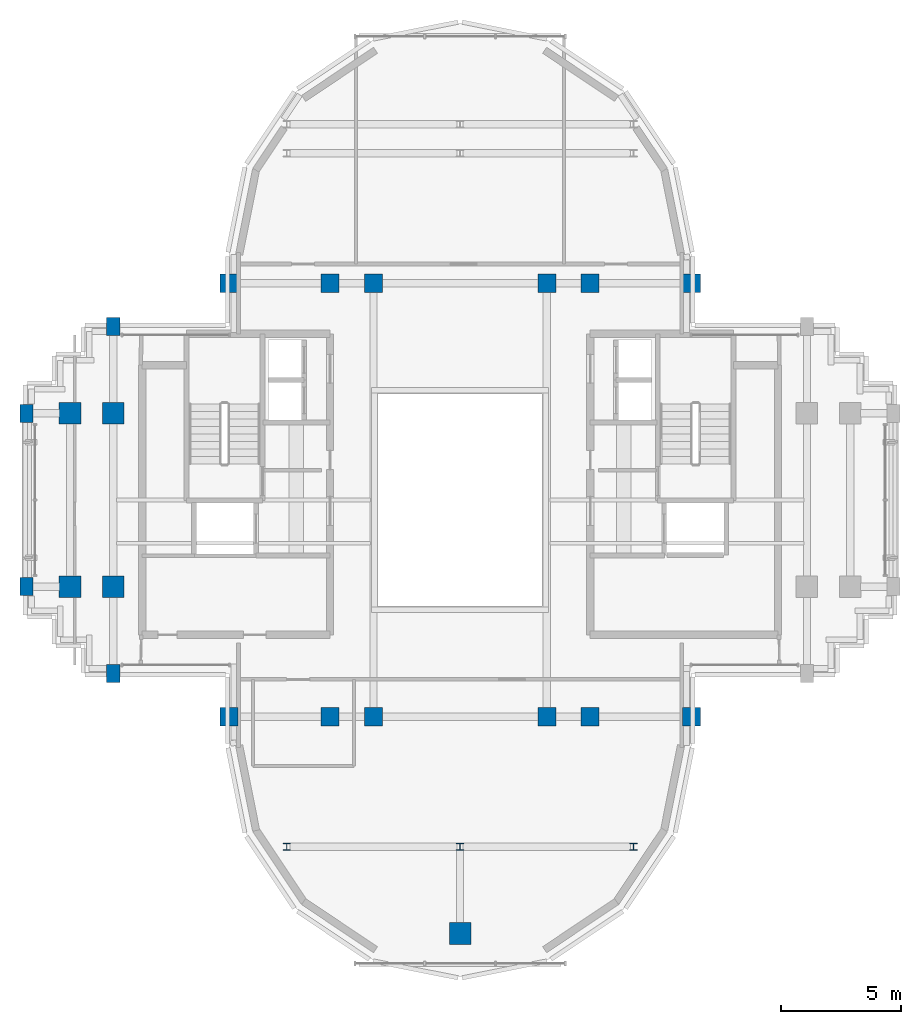
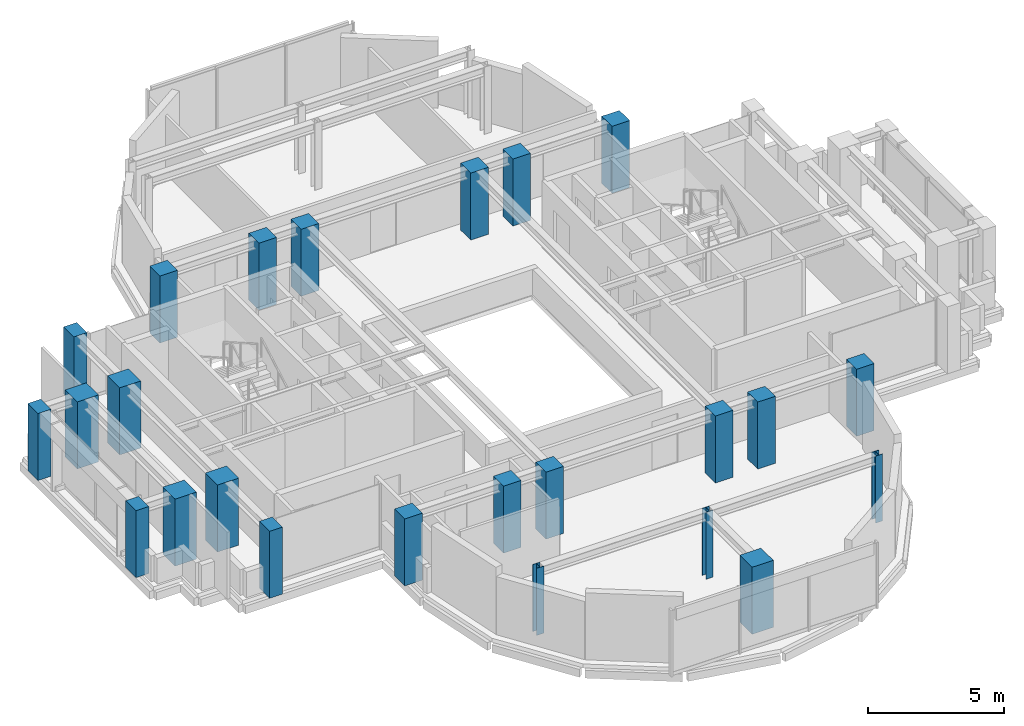
# One storey, part 1 of 12: 24 columns.
"""IFC4 building model written with IfcOpenShell, lengths in metres."""

from ifc_helpers import new_model, si_unit, direction, frame, origin, origin_2d, place, context, subcontext, project, spatial, rectangle, i_section, extrude, source, transform, mapped, material, material_profile, profile_set, type_object, element, save


model = new_model("IFC4")

# Units and contexts
model_context = context("Model", 3, precision=1e-05, world=origin(), true_north=direction((0.0, 1.0)))
body_context = subcontext(model_context, "Body", "Model", "MODEL_VIEW")
ifc_project = project(units=[si_unit("LENGTHUNIT", "METRE"), si_unit("AREAUNIT", "SQUARE_METRE"), si_unit("VOLUMEUNIT", "CUBIC_METRE"), si_unit("PLANEANGLEUNIT", "RADIAN"), si_unit("MASSUNIT", "GRAM", prefix="KILO")], contexts=[model_context])

# Site, building, storey
site_placement = place(None, origin())
site = spatial("IfcSite", under=ifc_project, at=site_placement, CompositionType="ELEMENT")
building_placement = place(site_placement, origin())
building = spatial("IfcBuilding", under=site, at=building_placement, Name="Keilestroom Media Tower", CompositionType="ELEMENT")
storey_placement = place(building_placement, frame((0.0, 0.0, 246.0)))
storey = spatial("IfcBuildingStorey", under=building, at=storey_placement, Name="L68", CompositionType="ELEMENT", Elevation=246.0)

# Columns
ifc_material_1 = material(Name="Precast concrete C40/50", Category="concrete")
ifc_material_profile_1 = material_profile(ifc_material_1, rectangle(XDim=0.550048828125, YDim=0.75, at=origin_2d()), Name="PC 750x550")
ifc_profile_set_1 = profile_set([ifc_material_profile_1], Name="Precast concrete C40/50")
column_type_1 = type_object("IfcColumnType", Name="Structural-Column-PC-750x550", PredefinedType="COLUMN", material=ifc_profile_set_1)
shared_shape_1 = source(origin(), body_context, "Body", "SweptSolid", [
    extrude(rectangle(XDim=0.550048828125, YDim=0.75, at=origin_2d()), origin(), (0.0, 0.0, 1.0), 3.010009765625),
])
for number, where, z_axis, x_axis, name in (
    (1, (-18.0, -3.60009765625, 0.0), (0.0, 0.0, 1.0), (1.0, 0.0, 0.0), "L68 Column PC-3 (-18.0,-3.6)"),
    (2, (-18.0, 3.60009765625, 0.0), (0.0, 0.0, 1.0), (1.0, 0.0, 0.0), "L68 Column PC-3 (-18.0,+3.6)"),
    (3, (-14.39990234375, -7.199951171875, 0.0), (0.0, 0.0, 1.0), (1.0, 0.0, 0.0), "L68 Column PC-3 (-14.4,-7.2)"),
    (4, (-14.39990234375, 7.199951171875, 0.0), (0.0, 0.0, 1.0), (1.0, 0.0, 0.0), "L68 Column PC-3 (-14.4,+7.2)"),
):
    element("IfcColumn", number, at=place(storey_placement, frame(where, z_axis=z_axis, x_axis=x_axis)), inside=storey, type_object=column_type_1, Name=name, PredefinedType="COLUMN", context=body_context, shape_type="MappedRepresentation", body=[
        mapped(shared_shape_1, transform((0.0, 0.0, 0.0), x_axis=(1.0, 0.0, 0.0), y_axis=(0.0, 1.0, 0.0), z_axis=(0.0, 0.0, 1.0), scale=1.0)),
    ])
ifc_material_2 = material(Name="Concrete C55/67", Category="concrete")
ifc_material_profile_2 = material_profile(ifc_material_2, rectangle(XDim=0.89990234375, YDim=0.89990234375, at=origin_2d()), Name="RC 900x900")
ifc_profile_set_2 = profile_set([ifc_material_profile_2], Name="Concrete C55/67")
column_type_2 = type_object("IfcColumnType", Name="Structural-Column-RC-900x900", PredefinedType="COLUMN", material=ifc_profile_set_2)
shared_shape_2 = source(origin(), body_context, "Body", "SweptSolid", [
    extrude(rectangle(XDim=0.89990234375, YDim=0.89990234375, at=origin_2d()), origin(), (0.0, 0.0, 1.0), 3.010009765625),
])
for number, where, z_axis, x_axis, name in (
    (5, (-16.199951171875, -3.60009765625, 0.0), (0.0, 0.0, 1.0), (1.0, 0.0, 0.0), "L68 Column MC-4 (-16.2,-3.6)"),
    (6, (-16.199951171875, 3.60009765625, 0.0), (0.0, 0.0, 1.0), (1.0, 0.0, 0.0), "L68 Column MC-4 (-16.2,+3.6)"),
    (7, (-14.39990234375, -3.60009765625, 0.0), (0.0, 0.0, 1.0), (1.0, 0.0, 0.0), "L68 Column MC-4 (-14.4,-3.6)"),
    (8, (-14.39990234375, 3.60009765625, 0.0), (0.0, 0.0, 1.0), (1.0, 0.0, 0.0), "L68 Column MC-4 (-14.4,+3.6)"),
    (9, (0.0, -18.0, 0.0), (0.0, 0.0, 1.0), (1.0, 0.0, 0.0), "L68 Column MC-4 (+0.0,-18.0)"),
):
    element("IfcColumn", number, at=place(storey_placement, frame(where, z_axis=z_axis, x_axis=x_axis)), inside=storey, type_object=column_type_2, Name=name, PredefinedType="COLUMN", context=body_context, shape_type="MappedRepresentation", body=[
        mapped(shared_shape_2, transform((0.0, 0.0, 0.0), x_axis=(1.0, 0.0, 0.0), y_axis=(0.0, 1.0, 0.0), z_axis=(0.0, 0.0, 1.0), scale=1.0)),
    ])
ifc_material_3 = material(Name="Concrete C50/60", Category="concrete")
ifc_material_profile_3 = material_profile(ifc_material_3, rectangle(XDim=0.75, YDim=0.75, at=origin_2d()), Name="RC 750x750")
ifc_profile_set_3 = profile_set([ifc_material_profile_3], Name="Concrete C50/60")
column_type_3 = type_object("IfcColumnType", Name="Structural-Column-RC-750x750", PredefinedType="COLUMN", material=ifc_profile_set_3)
shared_shape_3 = source(origin(), body_context, "Body", "SweptSolid", [
    extrude(rectangle(XDim=0.75, YDim=0.75, at=origin_2d()), origin(), (0.0, 0.0, 1.0), 3.010009765625),
])
for number, where, z_axis, x_axis, name in (
    (10, (-9.60009765625, -9.0, 0.0), (0.0, 0.0, 1.0), (1.0, 0.0, 0.0), "L68 Column MC-5 (-9.6,-9.0)"),
    (11, (-9.60009765625, 9.0, 0.0), (0.0, 0.0, 1.0), (1.0, 0.0, 0.0), "L68 Column MC-5 (-9.6,+9.0)"),
    (12, (-5.39990234375, -9.0, 0.0), (0.0, 0.0, 1.0), (1.0, 0.0, 0.0), "L68 Column MC-5 (-5.4,-9.0)"),
    (13, (-5.39990234375, 9.0, 0.0), (0.0, 0.0, 1.0), (1.0, 0.0, 0.0), "L68 Column MC-5 (-5.4,+9.0)"),
    (14, (-3.60009765625, -9.0, 0.0), (0.0, 0.0, 1.0), (1.0, 0.0, 0.0), "L68 Column MC-5 (-3.6,-9.0)"),
    (15, (-3.60009765625, 9.0, 0.0), (0.0, 0.0, 1.0), (1.0, 0.0, 0.0), "L68 Column MC-5 (-3.6,+9.0)"),
    (16, (3.60009765625, -9.0, 0.0), (0.0, 0.0, 1.0), (1.0, 0.0, 0.0), "L68 Column MC-5 (+3.6,-9.0)"),
    (17, (3.60009765625, 9.0, 0.0), (0.0, 0.0, 1.0), (1.0, 0.0, 0.0), "L68 Column MC-5 (+3.6,+9.0)"),
    (18, (5.39990234375, -9.0, 0.0), (0.0, 0.0, 1.0), (1.0, 0.0, 0.0), "L68 Column MC-5 (+5.4,-9.0)"),
    (19, (5.39990234375, 9.0, 0.0), (0.0, 0.0, 1.0), (1.0, 0.0, 0.0), "L68 Column MC-5 (+5.4,+9.0)"),
    (20, (9.60009765625, -9.0, 0.0), (0.0, 0.0, 1.0), (1.0, 0.0, 0.0), "L68 Column MC-5 (+9.6,-9.0)"),
    (21, (9.60009765625, 9.0, 0.0), (0.0, 0.0, 1.0), (1.0, 0.0, 0.0), "L68 Column MC-5 (+9.6,+9.0)"),
):
    element("IfcColumn", number, at=place(storey_placement, frame(where, z_axis=z_axis, x_axis=x_axis)), inside=storey, type_object=column_type_3, Name=name, PredefinedType="COLUMN", context=body_context, shape_type="MappedRepresentation", body=[
        mapped(shared_shape_3, transform((0.0, 0.0, 0.0), x_axis=(1.0, 0.0, 0.0), y_axis=(0.0, 1.0, 0.0), z_axis=(0.0, 0.0, 1.0), scale=1.0)),
    ])
ifc_material_4 = material(Name="Steel S355", Category="steel")
ifc_material_profile_4 = material_profile(ifc_material_4, i_section(OverallWidth=0.300048828125, OverallDepth=0.300048828125, WebThickness=0.010986328125, FlangeThickness=0.01904296875, at=origin_2d()), Name="HEB 300")
ifc_profile_set_4 = profile_set([ifc_material_profile_4], Name="Steel S355")
column_type_4 = type_object("IfcColumnType", Name="Structural-Column-HEB-300", PredefinedType="COLUMN", material=ifc_profile_set_4)
shared_shape_4 = source(origin(), body_context, "Body", "SweptSolid", [
    extrude(i_section(OverallWidth=0.300048828125, OverallDepth=0.300048828125, WebThickness=0.010986328125, FlangeThickness=0.01904296875, at=origin_2d()), origin(), (0.0, 0.0, 1.0), 3.010009765625),
])
for number, where, z_axis, x_axis, name in (
    (22, (-7.199951171875, -14.39990234375, 0.0), (0.0, 0.0, 1.0), (1.0, 0.0, 0.0), "L68 Column SC-5 (-7.2,-14.4)"),
    (23, (0.0, -14.39990234375, 0.0), (0.0, 0.0, 1.0), (1.0, 0.0, 0.0), "L68 Column SC-5 (+0.0,-14.4)"),
    (24, (7.199951171875, -14.39990234375, 0.0), (0.0, 0.0, 1.0), (1.0, 0.0, 0.0), "L68 Column SC-5 (+7.2,-14.4)"),
):
    element("IfcColumn", number, at=place(storey_placement, frame(where, z_axis=z_axis, x_axis=x_axis)), inside=storey, type_object=column_type_4, Name=name, PredefinedType="COLUMN", context=body_context, shape_type="MappedRepresentation", body=[
        mapped(shared_shape_4, transform((0.0, 0.0, 0.0), x_axis=(1.0, 0.0, 0.0), y_axis=(0.0, 1.0, 0.0), z_axis=(0.0, 0.0, 1.0), scale=1.0)),
    ])

save(model, "model.ifc")
